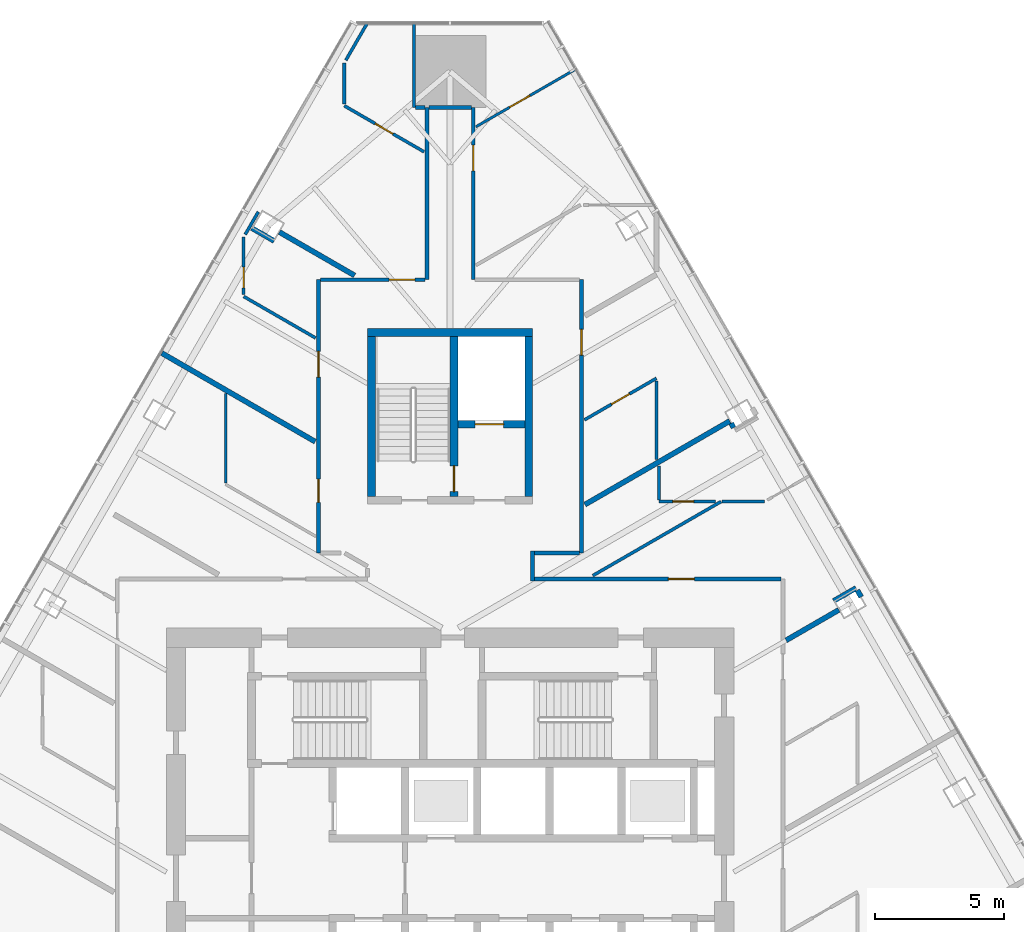
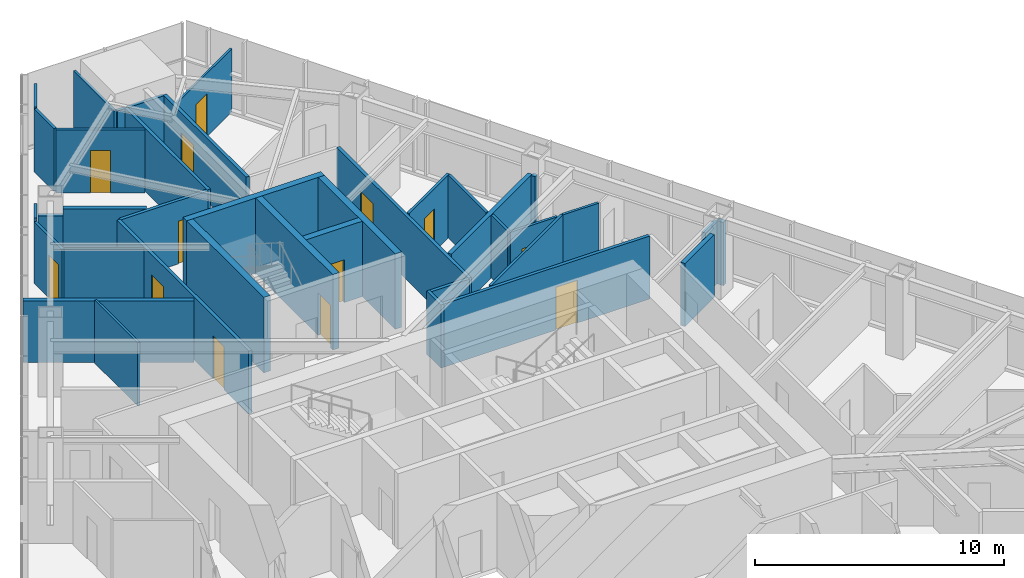
# One storey, part 17 of 20: 38 walls, 13 doors, 13 openings.
"""IFC4 building model written with IfcOpenShell, lengths in metres."""

from ifc_helpers import new_model, si_unit, direction, frame, frame_2d, origin, place, context, subcontext, project, spatial, rectangle, extrude, material, layer, layer_set, type_object, element, fill, save


model = new_model("IFC4")

# Units and contexts
model_context = context("Model", 3, precision=1e-05, world=origin(), true_north=direction((0.0, 1.0)))
body_context = subcontext(model_context, "Body", "Model", "MODEL_VIEW")
ifc_project = project(units=[si_unit("LENGTHUNIT", "METRE"), si_unit("AREAUNIT", "SQUARE_METRE"), si_unit("VOLUMEUNIT", "CUBIC_METRE"), si_unit("PLANEANGLEUNIT", "RADIAN"), si_unit("MASSUNIT", "GRAM", prefix="KILO")], contexts=[model_context])

# Site, building, storey
site_placement = place(None, origin())
site = spatial("IfcSite", under=ifc_project, at=site_placement, CompositionType="ELEMENT")
building_placement = place(site_placement, origin())
building = spatial("IfcBuilding", under=site, at=building_placement, Name="Firuza Gate Tower and Library", CompositionType="ELEMENT")
storey_placement = place(building_placement, frame((0.0, 0.0, 214.300048828125)))
storey = spatial("IfcBuildingStorey", under=building, at=storey_placement, Name="L50", CompositionType="ELEMENT", Elevation=214.300048828125)

# Walls
ifc_material_1 = material(Name="Concrete C80/95", Category="concrete")
ifc_layer_1 = layer(ifc_material_1, 0.300048828125)
ifc_layer_set_1 = layer_set([ifc_layer_1], Name="Core wall 300 C80/95")
wall_type_1 = type_object("IfcWallType", Name="Core wall 300 C80/95", PredefinedType="SHEAR", material=ifc_layer_set_1)
wall_1_placement = place(storey_placement, frame((71.800048828125, 94.449951171875, 0.0), z_axis=(0.0, 0.0, 1.0), x_axis=(1.0, 0.0, 0.0)))
element("IfcWall", 1, at=wall_1_placement, inside=storey, type_object=wall_type_1, Name="Core wall L50 28", PredefinedType="SHEAR", context=body_context, shape_type="SweptSolid", body=[
    extrude(rectangle(XDim=6.39990234375, YDim=0.300048828125, at=frame_2d((3.199951171875, 0.0))), origin(), (0.0, 0.0, 1.0), 3.699951171875),
])
for number, where, z_axis, x_axis, name in (
    (2, (71.949951171875, 88.10009765625, 0.0), (0.0, 0.0, 1.0), (0.0, 1.0, 0.0), "Core wall L50 29"),
    (3, (78.050048828125, 88.10009765625, 0.0), (0.0, 0.0, 1.0), (0.0, 1.0, 0.0), "Core wall L50 30"),
):
    element("IfcWall", number, at=place(storey_placement, frame(where, z_axis=z_axis, x_axis=x_axis)), inside=storey, type_object=wall_type_1, Name=name, PredefinedType="SHEAR", context=body_context, shape_type="SweptSolid", body=[
        extrude(rectangle(XDim=6.199951171875, YDim=0.300048828125, at=frame_2d((3.10009765625, 0.0))), origin(), (0.0, 0.0, 1.0), 3.699951171875),
    ])

# Wall, opening, door
wall_2_placement = place(storey_placement, frame((75.300048828125, 90.89990234375, 0.0), z_axis=(0.0, 0.0, 1.0), x_axis=(1.0, 0.0, 0.0)))
wall_2 = element("IfcWall", 4, at=wall_2_placement, inside=storey, type_object=wall_type_1, Name="Core wall L50 31", PredefinedType="SHEAR", context=body_context, shape_type="SweptSolid", body=[
    extrude(rectangle(XDim=2.599853515625, YDim=0.300048828125, at=frame_2d((1.2998046875, 0.0))), origin(), (0.0, 0.0, 1.0), 3.699951171875),
])
opening_1_placement = place(wall_2_placement, frame((0.675048828125, 0.0, 0.0)))
opening_1 = element("IfcOpeningElement", 5, at=opening_1_placement, cuts=wall_2, Name="Opening LD-SV1-L50", PredefinedType="OPENING", context=body_context, shape_type="SweptSolid", body=[
    extrude(rectangle(XDim=1.10009765625, YDim=2.10009765625, at=frame_2d((0.550048828125, 1.050048828125))), frame((0.0, 0.16015625, 0.0), z_axis=(0.0, -1.0, 0.0), x_axis=(1.0, 0.0, 0.0)), (0.0, 0.0, 1.0), 0.320068359375),
])
ifc_material_2 = material(Name="Stainless steel", Category="steel")
door_type_1 = type_object("IfcDoorType", Name="Lift landing door 1100x2100", OperationType="DOUBLE_DOOR_SLIDING", PredefinedType="DOOR", material=ifc_material_2)
door_1_placement = place(opening_1_placement, origin())
door_1 = element("IfcDoor", 6, at=door_1_placement, inside=storey, type_object=door_type_1, Name="Landing door SV1 L50", OperationType="DOUBLE_DOOR_SLIDING", OverallHeight=2.10009765625, OverallWidth=1.10009765625, PredefinedType="DOOR", context=body_context, shape_type="SweptSolid", body=[
    extrude(rectangle(XDim=1.10009765625, YDim=2.10009765625, at=frame_2d((0.550048828125, 1.050048828125))), frame((0.0, 0.02490234375, 0.0), z_axis=(0.0, -1.0, 0.0), x_axis=(1.0, 0.0, 0.0)), (0.0, 0.0, 1.0), 0.050048828125),
])
fill(opening_1, door_1)

wall_3_placement = place(storey_placement, frame((75.14990234375, 88.10009765625, 0.0), z_axis=(0.0, 0.0, 1.0), x_axis=(0.0, 1.0, 0.0)))
wall_3 = element("IfcWall", 7, at=wall_3_placement, inside=storey, type_object=wall_type_1, Name="Core wall L50 32", PredefinedType="SHEAR", context=body_context, shape_type="SweptSolid", body=[
    extrude(rectangle(XDim=6.199951171875, YDim=0.300048828125, at=frame_2d((3.10009765625, 0.0))), origin(), (0.0, 0.0, 1.0), 3.699951171875),
])
opening_2_placement = place(wall_3_placement, frame((0.18505859375, 0.0, 0.0)))
opening_2 = element("IfcOpeningElement", 8, at=opening_2_placement, cuts=wall_3, Name="Opening L50-K16", PredefinedType="OPENING", context=body_context, shape_type="SweptSolid", body=[
    extrude(rectangle(XDim=1.0, YDim=2.10009765625, at=frame_2d((0.5, 1.050048828125))), frame((0.0, 0.16015625, 0.0), z_axis=(0.0, -1.0, 0.0), x_axis=(1.0, 0.0, 0.0)), (0.0, 0.0, 1.0), 0.320068359375),
])
ifc_material_3 = material(Name="Steel", Category="steel")
door_type_2 = type_object("IfcDoorType", Name="Fire door 1000x2100 FD90", OperationType="NOTDEFINED", PredefinedType="DOOR", material=ifc_material_3)
door_2_placement = place(opening_2_placement, origin())
door_2 = element("IfcDoor", 9, at=door_2_placement, inside=storey, type_object=door_type_2, Name="Door L50-K16", OperationType="SINGLE_SWING_LEFT", OverallHeight=2.10009765625, OverallWidth=1.0, PredefinedType="DOOR", context=body_context, shape_type="SweptSolid", body=[
    extrude(rectangle(XDim=1.0, YDim=2.10009765625, at=frame_2d((0.5, 1.050048828125))), frame((0.0, 0.02490234375, 0.0), z_axis=(0.0, -1.0, 0.0), x_axis=(1.0, 0.0, 0.0)), (0.0, 0.0, 1.0), 0.050048828125),
])
fill(opening_2, door_2)

ifc_material_4 = material(Name="Gypsum board partition")
ifc_layer_2 = layer(ifc_material_4, 0.14990234375)
ifc_layer_set_2 = layer_set([ifc_layer_2], Name="Corridor wall 150 double board on steel studs")
wall_type_2 = type_object("IfcWallType", Name="Corridor wall 150 double board on steel studs", PredefinedType="PARTITIONING", material=ifc_layer_set_2)
wall_4_placement = place(storey_placement, frame((78.27490234375, 84.89990234375, 0.0), z_axis=(0.0, 0.0, 1.0), x_axis=(1.0, 0.0, 0.0)))
wall_4 = element("IfcWall", 10, at=wall_4_placement, inside=storey, type_object=wall_type_2, Name="f:L50:w010", PredefinedType="PARTITIONING", context=body_context, shape_type="SweptSolid", body=[
    extrude(rectangle(XDim=9.550048828125, YDim=0.14990234375, at=frame_2d((4.77490234375, 0.0))), origin(), (0.0, 0.0, 1.0), 3.096923828125),
])
opening_3_placement = place(wall_4_placement, frame((5.190673828125, 0.0, 0.0)))
opening_3 = element("IfcOpeningElement", 11, at=opening_3_placement, cuts=wall_4, Name="Opening L50-12", PredefinedType="OPENING", context=body_context, shape_type="SweptSolid", body=[
    extrude(rectangle(XDim=1.0, YDim=2.10009765625, at=frame_2d((0.5, 1.050048828125))), frame((0.0, 0.0849609375, 0.0), z_axis=(0.0, -1.0, 0.0), x_axis=(1.0, 0.0, 0.0)), (0.0, 0.0, 1.0), 0.169921875),
])
ifc_material_5 = material(Name="Steel door and timber leaf", Category="steel")
door_type_3 = type_object("IfcDoorType", Name="Fire door 1000 x 2100 steel frame, timber leaf", OperationType="NOTDEFINED", PredefinedType="DOOR", material=ifc_material_5)
door_3_placement = place(opening_3_placement, origin())
door_3 = element("IfcDoor", 12, at=door_3_placement, inside=storey, type_object=door_type_3, Name="f:L50:d012", OperationType="SINGLE_SWING_RIGHT", OverallHeight=2.10009765625, OverallWidth=1.0, PredefinedType="DOOR", context=body_context, shape_type="SweptSolid", body=[
    extrude(rectangle(XDim=1.0, YDim=2.10009765625, at=frame_2d((0.5, 1.050048828125))), frame((0.0, 0.02490234375, 0.0), z_axis=(0.0, -1.0, 0.0), x_axis=(1.0, 0.0, 0.0)), (0.0, 0.0, 1.0), 0.050048828125),
])
fill(opening_3, door_3)

# Wall
wall_5_placement = place(storey_placement, frame((78.27490234375, 85.89990234375, 0.0), z_axis=(0.0, 0.0, 1.0), x_axis=(1.0, 0.0, 0.0)))
element("IfcWall", 13, at=wall_5_placement, inside=storey, type_object=wall_type_2, Name="f:L50:w012", PredefinedType="PARTITIONING", context=body_context, shape_type="SweptSolid", body=[
    extrude(rectangle(XDim=1.75, YDim=0.14990234375, at=frame_2d((0.875, 0.0))), origin(), (0.0, 0.0, 1.0), 3.096923828125),
])

# Wall, opening, door
wall_6_placement = place(storey_placement, frame((69.97509765625, 96.5, 0.0), z_axis=(0.0, 0.0, 1.0), x_axis=(1.0, 0.0, 0.0)))
wall_6 = element("IfcWall", 14, at=wall_6_placement, inside=storey, type_object=wall_type_2, Name="f:L50:w014", PredefinedType="PARTITIONING", context=body_context, shape_type="SweptSolid", body=[
    extrude(rectangle(XDim=4.0498046875, YDim=0.14990234375, at=frame_2d((2.02490234375, 0.0))), origin(), (0.0, 0.0, 1.0), 3.099853515625),
])
opening_4_placement = place(wall_6_placement, frame((2.662841796875, 0.0, 0.0)))
opening_4 = element("IfcOpeningElement", 15, at=opening_4_placement, cuts=wall_6, Name="Opening L50-14", PredefinedType="OPENING", context=body_context, shape_type="SweptSolid", body=[
    extrude(rectangle(XDim=1.0, YDim=2.10009765625, at=frame_2d((0.5, 1.050048828125))), frame((0.0, 0.0849609375, 0.0), z_axis=(0.0, -1.0, 0.0), x_axis=(1.0, 0.0, 0.0)), (0.0, 0.0, 1.0), 0.169921875),
])
door_4_placement = place(opening_4_placement, origin())
door_4 = element("IfcDoor", 16, at=door_4_placement, inside=storey, type_object=door_type_3, Name="f:L50:d014", OperationType="SINGLE_SWING_RIGHT", OverallHeight=2.10009765625, OverallWidth=1.0, PredefinedType="DOOR", context=body_context, shape_type="SweptSolid", body=[
    extrude(rectangle(XDim=1.0, YDim=2.10009765625, at=frame_2d((0.5, 1.050048828125))), frame((0.0, 0.02490234375, 0.0), z_axis=(0.0, -1.0, 0.0), x_axis=(1.0, 0.0, 0.0)), (0.0, 0.0, 1.0), 0.050048828125),
])
fill(opening_4, door_4)

# Wall
wall_7_placement = place(storey_placement, frame((73.660400390625, 103.169921875, 0.0), z_axis=(0.0, 0.0, 1.0), x_axis=(1.0, 0.0, 0.0)))
element("IfcWall", 17, at=wall_7_placement, inside=storey, type_object=wall_type_2, Name="f:L50:w017", PredefinedType="PARTITIONING", context=body_context, shape_type="SweptSolid", body=[
    extrude(rectangle(XDim=0.364501953125, YDim=0.14990234375, at=frame_2d((0.18212890625, 0.0))), origin(), (0.0, 0.0, 1.0), 3.099853515625),
])

# Wall, opening, door
wall_8_placement = place(storey_placement, frame((80.10009765625, 96.49951171875, 0.0), z_axis=(0.0, 0.0, 1.0), x_axis=(0.0, -1.0, 0.0)))
wall_8 = element("IfcWall", 18, at=wall_8_placement, inside=storey, type_object=wall_type_2, Name="f:L50:w063", PredefinedType="PARTITIONING", context=body_context, shape_type="SweptSolid", body=[
    extrude(rectangle(XDim=10.599609375, YDim=0.14990234375, at=frame_2d((5.2998046875, 0.0))), origin(), (0.0, 0.0, 1.0), 3.096923828125),
])
opening_5_placement = place(wall_8_placement, frame((1.920166015625, 0.0, 0.0)))
opening_5 = element("IfcOpeningElement", 19, at=opening_5_placement, cuts=wall_8, Name="Opening L50-32", PredefinedType="OPENING", context=body_context, shape_type="SweptSolid", body=[
    extrude(rectangle(XDim=1.0, YDim=2.10009765625, at=frame_2d((0.5, 1.050048828125))), frame((0.0, 0.0849609375, 0.0), z_axis=(0.0, -1.0, 0.0), x_axis=(1.0, 0.0, 0.0)), (0.0, 0.0, 1.0), 0.169921875),
])
door_5_placement = place(opening_5_placement, origin())
door_5 = element("IfcDoor", 20, at=door_5_placement, inside=storey, type_object=door_type_3, Name="f:L50:d032", OperationType="SINGLE_SWING_RIGHT", OverallHeight=2.10009765625, OverallWidth=1.0, PredefinedType="DOOR", context=body_context, shape_type="SweptSolid", body=[
    extrude(rectangle(XDim=1.0, YDim=2.10009765625, at=frame_2d((0.5, 1.050048828125))), frame((0.0, 0.02490234375, 0.0), z_axis=(0.0, -1.0, 0.0), x_axis=(1.0, 0.0, 0.0)), (0.0, 0.0, 1.0), 0.050048828125),
])
fill(opening_5, door_5)

# Wall
wall_9_placement = place(storey_placement, frame((78.199951171875, 84.824951171875, 0.0), z_axis=(0.0, 0.0, 1.0), x_axis=(0.0, 1.0, 0.0)))
element("IfcWall", 21, at=wall_9_placement, inside=storey, type_object=wall_type_2, Name="f:L50:w065", PredefinedType="PARTITIONING", context=body_context, shape_type="SweptSolid", body=[
    extrude(rectangle(XDim=1.150146484375, YDim=0.14990234375, at=frame_2d((0.5751953125, 0.0))), origin(), (0.0, 0.0, 1.0), 3.099853515625),
])

# Wall, opening, door
wall_10_placement = place(storey_placement, frame((75.89990234375, 103.169189453125, 0.0), z_axis=(0.0, 0.0, 1.0), x_axis=(0.0, -1.0, 0.0)))
wall_10 = element("IfcWall", 22, at=wall_10_placement, inside=storey, type_object=wall_type_2, Name="f:L50:w067", PredefinedType="PARTITIONING", context=body_context, shape_type="SweptSolid", body=[
    extrude(rectangle(XDim=6.669189453125, YDim=0.14990234375, at=frame_2d((3.33447265625, 0.0))), origin(), (0.0, 0.0, 1.0), 3.099853515625),
])
opening_6_placement = place(wall_10_placement, frame((1.452392578125, 0.0, 0.0)))
opening_6 = element("IfcOpeningElement", 23, at=opening_6_placement, cuts=wall_10, Name="Opening L50-33", PredefinedType="OPENING", context=body_context, shape_type="SweptSolid", body=[
    extrude(rectangle(XDim=1.0, YDim=2.10009765625, at=frame_2d((0.5, 1.050048828125))), frame((0.0, 0.0849609375, 0.0), z_axis=(0.0, -1.0, 0.0), x_axis=(1.0, 0.0, 0.0)), (0.0, 0.0, 1.0), 0.169921875),
])
door_6_placement = place(opening_6_placement, origin())
door_6 = element("IfcDoor", 24, at=door_6_placement, inside=storey, type_object=door_type_3, Name="f:L50:d033", OperationType="SINGLE_SWING_RIGHT", OverallHeight=2.10009765625, OverallWidth=1.0, PredefinedType="DOOR", context=body_context, shape_type="SweptSolid", body=[
    extrude(rectangle(XDim=1.0, YDim=2.10009765625, at=frame_2d((0.5, 1.050048828125))), frame((0.0, 0.02490234375, 0.0), z_axis=(0.0, -1.0, 0.0), x_axis=(1.0, 0.0, 0.0)), (0.0, 0.0, 1.0), 0.050048828125),
])
fill(opening_6, door_6)

# Wall
wall_11_placement = place(storey_placement, frame((74.10009765625, 96.5, 0.0), z_axis=(0.0, 0.0, 1.0), x_axis=(0.0, 1.0, 0.0)))
element("IfcWall", 25, at=wall_11_placement, inside=storey, type_object=wall_type_2, Name="f:L50:w070", PredefinedType="PARTITIONING", context=body_context, shape_type="SweptSolid", body=[
    extrude(rectangle(XDim=6.669677734375, YDim=0.14990234375, at=frame_2d((3.3349609375, 0.0))), origin(), (0.0, 0.0, 1.0), 3.099853515625),
])

# Wall, openings, doors
wall_12_placement = place(storey_placement, frame((69.89990234375, 85.900390625, 0.0), z_axis=(0.0, 0.0, 1.0), x_axis=(0.0, 1.0, 0.0)))
wall_12 = element("IfcWall", 26, at=wall_12_placement, inside=storey, type_object=wall_type_2, Name="f:L50:w075", PredefinedType="PARTITIONING", context=body_context, shape_type="SweptSolid", body=[
    extrude(rectangle(XDim=10.599609375, YDim=0.14990234375, at=frame_2d((5.2998046875, 0.0))), origin(), (0.0, 0.0, 1.0), 3.096923828125),
])
opening_7_placement = place(wall_12_placement, frame((1.96826171875, 0.0, 0.0)))
opening_7 = element("IfcOpeningElement", 27, at=opening_7_placement, cuts=wall_12, Name="Opening L50-34", PredefinedType="OPENING", context=body_context, shape_type="SweptSolid", body=[
    extrude(rectangle(XDim=0.89990234375, YDim=2.10009765625, at=frame_2d((0.449951171875, 1.050048828125))), frame((0.0, 0.0849609375, 0.0), z_axis=(0.0, -1.0, 0.0), x_axis=(1.0, 0.0, 0.0)), (0.0, 0.0, 1.0), 0.169921875),
])
opening_8_placement = place(wall_12_placement, frame((6.82470703125, 0.0, 0.0)))
opening_8 = element("IfcOpeningElement", 28, at=opening_8_placement, cuts=wall_12, Name="Opening L50-35", PredefinedType="OPENING", context=body_context, shape_type="SweptSolid", body=[
    extrude(rectangle(XDim=1.0, YDim=2.10009765625, at=frame_2d((0.5, 1.050048828125))), frame((0.0, 0.0849609375, 0.0), z_axis=(0.0, -1.0, 0.0), x_axis=(1.0, 0.0, 0.0)), (0.0, 0.0, 1.0), 0.169921875),
])
door_7_placement = place(opening_8_placement, origin())
door_7 = element("IfcDoor", 29, at=door_7_placement, inside=storey, type_object=door_type_3, Name="f:L50:d035", OperationType="SINGLE_SWING_RIGHT", OverallHeight=2.10009765625, OverallWidth=1.0, PredefinedType="DOOR", context=body_context, shape_type="SweptSolid", body=[
    extrude(rectangle(XDim=1.0, YDim=2.10009765625, at=frame_2d((0.5, 1.050048828125))), frame((0.0, 0.02490234375, 0.0), z_axis=(0.0, -1.0, 0.0), x_axis=(1.0, 0.0, 0.0)), (0.0, 0.0, 1.0), 0.050048828125),
])
fill(opening_8, door_7)
ifc_material_6 = material(Name="Steel door and timber leaf", Category="steel")
door_type_4 = type_object("IfcDoorType", Name="Fire door 900 x 2100 steel frame, timber leaf", OperationType="NOTDEFINED", PredefinedType="DOOR", material=ifc_material_6)
door_8_placement = place(opening_7_placement, origin())
door_8 = element("IfcDoor", 30, at=door_8_placement, inside=storey, type_object=door_type_4, Name="f:L50:d034", OperationType="SINGLE_SWING_RIGHT", OverallHeight=2.10009765625, OverallWidth=0.89990234375, PredefinedType="DOOR", context=body_context, shape_type="SweptSolid", body=[
    extrude(rectangle(XDim=0.89990234375, YDim=2.10009765625, at=frame_2d((0.449951171875, 1.050048828125))), frame((0.0, 0.02490234375, 0.0), z_axis=(0.0, -1.0, 0.0), x_axis=(1.0, 0.0, 0.0)), (0.0, 0.0, 1.0), 0.050048828125),
])
fill(opening_7, door_8)

# Walls
wall_13_placement = place(storey_placement, frame((74.175048828125, 103.169921875, 0.0), z_axis=(0.0, 0.0, 1.0), x_axis=(1.0, 0.0, 0.0)))
element("IfcWall", 31, at=wall_13_placement, inside=storey, type_object=wall_type_2, Name="f:L50:w120", PredefinedType="PARTITIONING", context=body_context, shape_type="SweptSolid", body=[
    extrude(rectangle(XDim=1.6494140625, YDim=0.14990234375, at=frame_2d((0.82470703125, 0.0))), origin(), (0.0, 0.0, 1.0), 3.096923828125),
])
ifc_material_7 = material(Name="Gypsum board partition")
ifc_layer_3 = layer(ifc_material_7, 0.199951171875)
ifc_layer_set_3 = layer_set([ifc_layer_3], Name="Demising wall 200 acoustic double stud")
wall_type_3 = type_object("IfcWallType", Name="Demising wall 200 acoustic double stud", PredefinedType="PARTITIONING", material=ifc_layer_set_3)
wall_14_placement = place(storey_placement, frame((88.02685546875, 82.521240234375, 0.0), z_axis=(0.0, 0.0, 1.0), x_axis=(0.866032292145, 0.49998806882, 0.0)))
element("IfcWall", 32, at=wall_14_placement, inside=storey, type_object=wall_type_3, Name="f:L50:w030", PredefinedType="PARTITIONING", context=body_context, shape_type="SweptSolid", body=[
    extrude(rectangle(XDim=2.3603515625, YDim=0.199951171875, at=frame_2d((1.18017578125, 0.0))), origin(), (0.0, 0.0, 1.0), 3.099853515625),
])
wall_15_placement = place(storey_placement, frame((89.87109375, 84.0478515625, 0.0), z_axis=(0.0, 0.0, 1.0), x_axis=(0.866010750942, 0.50002537861, 0.0)))
element("IfcWall", 33, at=wall_15_placement, inside=storey, type_object=wall_type_3, Name="f:L50:w031", PredefinedType="PARTITIONING", context=body_context, shape_type="SweptSolid", body=[
    extrude(rectangle(XDim=1.0, YDim=0.199951171875, at=frame_2d((0.5, 0.0))), origin(), (0.0, 0.0, 1.0), 3.02197265625),
])
wall_16_placement = place(storey_placement, frame((80.226806640625, 87.781982421875, 0.0), z_axis=(0.0, 0.0, 1.0), x_axis=(0.866028841934, 0.499994044904, 0.0)))
element("IfcWall", 34, at=wall_16_placement, inside=storey, type_object=wall_type_3, Name="f:L50:w038", PredefinedType="PARTITIONING", context=body_context, shape_type="SweptSolid", body=[
    extrude(rectangle(XDim=6.484375, YDim=0.199951171875, at=frame_2d((3.2421875, 0.0))), origin(), (0.0, 0.0, 1.0), 3.099853515625),
])
wall_17_placement = place(storey_placement, frame((90.936767578125, 84.200927734375, 0.0), z_axis=(0.0, 0.0, 1.0), x_axis=(-0.500074377092, 0.865982457891, 0.0)))
element("IfcWall", 35, at=wall_17_placement, inside=storey, type_object=wall_type_3, Name="f:L50:w088", PredefinedType="PARTITIONING", context=body_context, shape_type="SweptSolid", body=[
    extrude(rectangle(XDim=0.30029296875, YDim=0.199951171875, at=frame_2d((0.150146484375, 0.0))), origin(), (0.0, 0.0, 1.0), 3.099853515625),
])
wall_18_placement = place(storey_placement, frame((85.99267578125, 90.764404296875, 0.0), z_axis=(0.0, 0.0, 1.0), x_axis=(-0.500359323436, 0.865817848887, 0.0)))
element("IfcWall", 36, at=wall_18_placement, inside=storey, type_object=wall_type_3, Name="f:L50:w091", PredefinedType="PARTITIONING", context=body_context, shape_type="SweptSolid", body=[
    extrude(rectangle(XDim=0.198974609375, YDim=0.199951171875, at=frame_2d((0.099609375, 0.0))), origin(), (0.0, 0.0, 1.0), 3.099853515625),
])
wall_19_placement = place(storey_placement, frame((71.297607421875, 96.664794921875, 0.0), z_axis=(0.0, 0.0, 1.0), x_axis=(-0.866023625329, 0.500003080363, 0.0)))
element("IfcWall", 37, at=wall_19_placement, inside=storey, type_object=wall_type_3, Name="f:L50:w095", PredefinedType="PARTITIONING", context=body_context, shape_type="SweptSolid", body=[
    extrude(rectangle(XDim=3.36376953125, YDim=0.199951171875, at=frame_2d((1.681884765625, 0.0))), origin(), (0.0, 0.0, 1.0), 3.099853515625),
])
wall_20_placement = place(storey_placement, frame((68.1845703125, 98.000244140625, 0.0), z_axis=(0.0, 0.0, 1.0), x_axis=(-0.866071776036, 0.499919672301, 0.0)))
element("IfcWall", 38, at=wall_20_placement, inside=storey, type_object=wall_type_3, Name="f:L50:w096", PredefinedType="PARTITIONING", context=body_context, shape_type="SweptSolid", body=[
    extrude(rectangle(XDim=1.000244140625, YDim=0.199951171875, at=frame_2d((0.5, 0.0))), origin(), (0.0, 0.0, 1.0), 3.02197265625),
])
wall_21_placement = place(storey_placement, frame((69.772705078125, 90.22216796875, 0.0), z_axis=(0.0, 0.0, 1.0), x_axis=(-0.866032781393, 0.499987221389, 0.0)))
element("IfcWall", 39, at=wall_21_placement, inside=storey, type_object=wall_type_3, Name="f:L50:w098", PredefinedType="PARTITIONING", context=body_context, shape_type="SweptSolid", body=[
    extrude(rectangle(XDim=6.864501953125, YDim=0.199951171875, at=frame_2d((3.43212890625, 0.0))), origin(), (0.0, 0.0, 1.0), 3.02197265625),
])

# Wall, opening, door
ifc_material_8 = material(Name="Gypsum board partition")
ifc_layer_4 = layer(ifc_material_8, 0.10009765625)
ifc_layer_set_4 = layer_set([ifc_layer_4], Name="Partition 100 gypsum board on steel studs")
wall_type_4 = type_object("IfcWallType", Name="Partition 100 gypsum board on steel studs", PredefinedType="PARTITIONING", material=ifc_layer_set_4)
wall_22_placement = place(storey_placement, frame((79.830078125, 104.63916015625, 0.0), z_axis=(0.0, 0.0, 1.0), x_axis=(-0.866005358171, -0.500034718414, 0.0)))
wall_22 = element("IfcWall", 40, at=wall_22_placement, inside=storey, type_object=wall_type_4, Name="f:L50:w042", PredefinedType="PARTITIONING", context=body_context, shape_type="SweptSolid", body=[
    extrude(rectangle(XDim=4.421630859375, YDim=0.10009765625, at=frame_2d((2.2109375, 0.0))), origin(), (0.0, 0.0, 1.0), 3.099853515625),
])
opening_9_placement = place(wall_22_placement, frame((2.0107421875, 0.0, 0.0)))
opening_9 = element("IfcOpeningElement", 41, at=opening_9_placement, cuts=wall_22, Name="Opening L50-29", PredefinedType="OPENING", context=body_context, shape_type="SweptSolid", body=[
    extrude(rectangle(XDim=0.89990234375, YDim=2.10009765625, at=frame_2d((0.449951171875, 1.050048828125))), frame((0.0, 0.06005859375, 0.0), z_axis=(0.0, -1.0, 0.0), x_axis=(1.0, 0.0, 0.0)), (0.0, 0.0, 1.0), 0.1201171875),
])
ifc_material_9 = material(Name="Timber door", Category="wood")
door_type_5 = type_object("IfcDoorType", Name="Door 900 x 2100 timber leaf", OperationType="NOTDEFINED", PredefinedType="DOOR", material=ifc_material_9)
door_9_placement = place(opening_9_placement, origin())
door_9 = element("IfcDoor", 42, at=door_9_placement, inside=storey, type_object=door_type_5, Name="f:L50:d029", OperationType="SINGLE_SWING_RIGHT", OverallHeight=2.10009765625, OverallWidth=0.89990234375, PredefinedType="DOOR", context=body_context, shape_type="SweptSolid", body=[
    extrude(rectangle(XDim=0.89990234375, YDim=2.10009765625, at=frame_2d((0.449951171875, 1.050048828125))), frame((0.0, 0.02490234375, 0.0), z_axis=(0.0, -1.0, 0.0), x_axis=(1.0, 0.0, 0.0)), (0.0, 0.0, 1.0), 0.050048828125),
])
fill(opening_9, door_9)

# Wall
wall_23_placement = place(storey_placement, frame((66.300048828125, 88.624267578125, 0.0), z_axis=(0.0, 0.0, 1.0), x_axis=(0.0, 1.0, 0.0)))
element("IfcWall", 43, at=wall_23_placement, inside=storey, type_object=wall_type_4, Name="f:L50:w078", PredefinedType="PARTITIONING", context=body_context, shape_type="SweptSolid", body=[
    extrude(rectangle(XDim=3.45751953125, YDim=0.10009765625, at=frame_2d((1.728759765625, 0.0))), origin(), (0.0, 0.0, 1.0), 3.099853515625),
])

# Wall, opening, door
ifc_material_10 = material(Name="Gypsum board partition")
ifc_layer_5 = layer(ifc_material_10, 0.1201171875)
ifc_layer_set_5 = layer_set([ifc_layer_5], Name="Wet-area partition 120 moisture-resistant board")
wall_type_5 = type_object("IfcWallType", Name="Wet-area partition 120 moisture-resistant board", PredefinedType="PARTITIONING", material=ifc_layer_set_5)
wall_24_placement = place(storey_placement, frame((85.28125, 87.89990234375, 0.0), z_axis=(0.0, 0.0, 1.0), x_axis=(-1.0, 0.0, 0.0)))
wall_24 = element("IfcWall", 44, at=wall_24_placement, inside=storey, type_object=wall_type_5, Name="f:L50:w013", PredefinedType="PARTITIONING", context=body_context, shape_type="SweptSolid", body=[
    extrude(rectangle(XDim=2.18115234375, YDim=0.1201171875, at=frame_2d((1.090576171875, 0.0))), origin(), (0.0, 0.0, 1.0), 3.096923828125),
])
opening_10_placement = place(wall_24_placement, frame((0.840576171875, 0.0, 0.0)))
opening_10 = element("IfcOpeningElement", 45, at=opening_10_placement, cuts=wall_24, Name="Opening L50-13", PredefinedType="OPENING", context=body_context, shape_type="SweptSolid", body=[
    extrude(rectangle(XDim=0.800048828125, YDim=2.10009765625, at=frame_2d((0.39990234375, 1.050048828125))), frame((0.0, 0.070068359375, 0.0), z_axis=(0.0, -1.0, 0.0), x_axis=(1.0, 0.0, 0.0)), (0.0, 0.0, 1.0), 0.14013671875),
])
ifc_material_11 = material(Name="Timber door", Category="wood")
door_type_6 = type_object("IfcDoorType", Name="Door 800 x 2100 timber leaf", OperationType="NOTDEFINED", PredefinedType="DOOR", material=ifc_material_11)
door_10_placement = place(opening_10_placement, origin())
door_10 = element("IfcDoor", 46, at=door_10_placement, inside=storey, type_object=door_type_6, Name="f:L50:d013", OperationType="SINGLE_SWING_LEFT", OverallHeight=2.10009765625, OverallWidth=0.800048828125, PredefinedType="DOOR", context=body_context, shape_type="SweptSolid", body=[
    extrude(rectangle(XDim=0.800048828125, YDim=2.10009765625, at=frame_2d((0.39990234375, 1.050048828125))), frame((0.0, 0.02490234375, 0.0), z_axis=(0.0, -1.0, 0.0), x_axis=(1.0, 0.0, 0.0)), (0.0, 0.0, 1.0), 0.050048828125),
])
fill(opening_10, door_10)

# Wall
wall_25_placement = place(storey_placement, frame((80.534423828125, 85.030029296875, 0.0), z_axis=(0.0, 0.0, 1.0), x_axis=(0.866014884179, 0.500018220049, 0.0)))
element("IfcWall", 47, at=wall_25_placement, inside=storey, type_object=wall_type_5, Name="f:L50:w036", PredefinedType="PARTITIONING", context=body_context, shape_type="SweptSolid", body=[
    extrude(rectangle(XDim=5.739990234375, YDim=0.1201171875, at=frame_2d((2.8701171875, 0.0))), origin(), (0.0, 0.0, 1.0), 3.099853515625),
])

# Wall, opening, door
wall_26_placement = place(storey_placement, frame((83.000244140625, 92.677490234375, 0.0), z_axis=(0.0, 0.0, 1.0), x_axis=(-0.866029130051, -0.499993545862, 0.0)))
wall_26 = element("IfcWall", 48, at=wall_26_placement, inside=storey, type_object=wall_type_5, Name="f:L50:w039", PredefinedType="PARTITIONING", context=body_context, shape_type="SweptSolid", body=[
    extrude(rectangle(XDim=3.22216796875, YDim=0.1201171875, at=frame_2d((1.611083984375, 0.0))), origin(), (0.0, 0.0, 1.0), 3.099853515625),
])
opening_11_placement = place(wall_26_placement, frame((1.2109375, 0.0, 0.0)))
opening_11 = element("IfcOpeningElement", 49, at=opening_11_placement, cuts=wall_26, Name="Opening L50-28", PredefinedType="OPENING", context=body_context, shape_type="SweptSolid", body=[
    extrude(rectangle(XDim=0.800048828125, YDim=2.10009765625, at=frame_2d((0.39990234375, 1.050048828125))), frame((0.0, 0.070068359375, 0.0), z_axis=(0.0, -1.0, 0.0), x_axis=(1.0, 0.0, 0.0)), (0.0, 0.0, 1.0), 0.14013671875),
])
door_11_placement = place(opening_11_placement, origin())
door_11 = element("IfcDoor", 50, at=door_11_placement, inside=storey, type_object=door_type_6, Name="f:L50:d028", OperationType="SINGLE_SWING_LEFT", OverallHeight=2.10009765625, OverallWidth=0.800048828125, PredefinedType="DOOR", context=body_context, shape_type="SweptSolid", body=[
    extrude(rectangle(XDim=0.800048828125, YDim=2.10009765625, at=frame_2d((0.39990234375, 1.050048828125))), frame((0.0, 0.02490234375, 0.0), z_axis=(0.0, -1.0, 0.0), x_axis=(1.0, 0.0, 0.0)), (0.0, 0.0, 1.0), 0.050048828125),
])
fill(opening_11, door_11)

# Walls
wall_27_placement = place(storey_placement, frame((67.059814453125, 98.2529296875, 0.0), z_axis=(0.0, 0.0, 1.0), x_axis=(0.499972622635, 0.866041209536, 0.0)))
element("IfcWall", 51, at=wall_27_placement, inside=storey, type_object=wall_type_5, Name="f:L50:w047", PredefinedType="PARTITIONING", context=body_context, shape_type="SweptSolid", body=[
    extrude(rectangle(XDim=1.013671875, YDim=0.1201171875, at=frame_2d((0.5068359375, 0.0))), origin(), (0.0, 0.0, 1.0), 3.099853515625),
])
wall_28_placement = place(storey_placement, frame((70.959716796875, 105.0078125, 0.0), z_axis=(0.0, 0.0, 1.0), x_axis=(0.500057100911, 0.865992434048, 0.0)))
element("IfcWall", 52, at=wall_28_placement, inside=storey, type_object=wall_type_5, Name="f:L50:w048", PredefinedType="PARTITIONING", context=body_context, shape_type="SweptSolid", body=[
    extrude(rectangle(XDim=1.641845703125, YDim=0.1201171875, at=frame_2d((0.82080078125, 0.0))), origin(), (0.0, 0.0, 1.0), 3.099853515625),
])
wall_29_placement = place(storey_placement, frame((83.10009765625, 87.9599609375, 0.0), z_axis=(0.0, 0.0, 1.0), x_axis=(0.0, 1.0, 0.0)))
element("IfcWall", 53, at=wall_29_placement, inside=storey, type_object=wall_type_5, Name="f:L50:w059", PredefinedType="PARTITIONING", context=body_context, shape_type="SweptSolid", body=[
    extrude(rectangle(XDim=1.324951171875, YDim=0.1201171875, at=frame_2d((0.66259765625, 0.0))), origin(), (0.0, 0.0, 1.0), 3.099853515625),
])
wall_30_placement = place(storey_placement, frame((83.0, 89.5380859375, 0.0), z_axis=(0.0, 0.0, 1.0), x_axis=(0.0, 1.0, 0.0)))
element("IfcWall", 54, at=wall_30_placement, inside=storey, type_object=wall_type_5, Name="f:L50:w060", PredefinedType="PARTITIONING", context=body_context, shape_type="SweptSolid", body=[
    extrude(rectangle(XDim=3.030517578125, YDim=0.1201171875, at=frame_2d((1.51513671875, 0.0))), origin(), (0.0, 0.0, 1.0), 3.099853515625),
])
wall_31_placement = place(storey_placement, frame((73.60009765625, 103.170166015625, 0.0), z_axis=(0.0, 0.0, 1.0), x_axis=(0.0, 1.0, 0.0)))
element("IfcWall", 55, at=wall_31_placement, inside=storey, type_object=wall_type_5, Name="f:L50:w071", PredefinedType="PARTITIONING", context=body_context, shape_type="SweptSolid", body=[
    extrude(rectangle(XDim=3.259521484375, YDim=0.1201171875, at=frame_2d((1.6298828125, 0.0))), origin(), (0.0, 0.0, 1.0), 3.099853515625),
])
wall_32_placement = place(storey_placement, frame((70.89990234375, 103.312255859375, 0.0), z_axis=(0.0, 0.0, 1.0), x_axis=(0.0, 1.0, 0.0)))
element("IfcWall", 56, at=wall_32_placement, inside=storey, type_object=wall_type_5, Name="f:L50:w074", PredefinedType="PARTITIONING", context=body_context, shape_type="SweptSolid", body=[
    extrude(rectangle(XDim=1.591552734375, YDim=0.1201171875, at=frame_2d((0.7958984375, 0.0))), origin(), (0.0, 0.0, 1.0), 3.099853515625),
])

# Wall, opening, door
wall_33_placement = place(storey_placement, frame((67.0, 98.148681640625, 0.0), z_axis=(0.0, 0.0, 1.0), x_axis=(0.0, -1.0, 0.0)))
wall_33 = element("IfcWall", 57, at=wall_33_placement, inside=storey, type_object=wall_type_5, Name="f:L50:w077", PredefinedType="PARTITIONING", context=body_context, shape_type="SweptSolid", body=[
    extrude(rectangle(XDim=2.228271484375, YDim=0.1201171875, at=frame_2d((1.1142578125, 0.0))), origin(), (0.0, 0.0, 1.0), 3.02197265625),
])
opening_12_placement = place(wall_33_placement, frame((1.164306640625, 0.0, 0.0)))
opening_12 = element("IfcOpeningElement", 58, at=opening_12_placement, cuts=wall_33, Name="Opening L50-36", PredefinedType="OPENING", context=body_context, shape_type="SweptSolid", body=[
    extrude(rectangle(XDim=0.800048828125, YDim=2.10009765625, at=frame_2d((0.39990234375, 1.050048828125))), frame((0.0, 0.070068359375, 0.0), z_axis=(0.0, -1.0, 0.0), x_axis=(1.0, 0.0, 0.0)), (0.0, 0.0, 1.0), 0.14013671875),
])
door_12_placement = place(opening_12_placement, origin())
door_12 = element("IfcDoor", 59, at=door_12_placement, inside=storey, type_object=door_type_6, Name="f:L50:d036", OperationType="SINGLE_SWING_RIGHT", OverallHeight=2.10009765625, OverallWidth=0.800048828125, PredefinedType="DOOR", context=body_context, shape_type="SweptSolid", body=[
    extrude(rectangle(XDim=0.800048828125, YDim=2.10009765625, at=frame_2d((0.39990234375, 1.050048828125))), frame((0.0, 0.02490234375, 0.0), z_axis=(0.0, -1.0, 0.0), x_axis=(1.0, 0.0, 0.0)), (0.0, 0.0, 1.0), 0.050048828125),
])
fill(opening_12, door_12)

wall_34_placement = place(storey_placement, frame((70.900146484375, 103.242919921875, 0.0), z_axis=(0.0, 0.0, 1.0), x_axis=(0.866028357664, -0.499994883695, 0.0)))
wall_34 = element("IfcWall", 60, at=wall_34_placement, inside=storey, type_object=wall_type_5, Name="f:L50:w094", PredefinedType="PARTITIONING", context=body_context, shape_type="SweptSolid", body=[
    extrude(rectangle(XDim=3.568359375, YDim=0.1201171875, at=frame_2d((1.7841796875, 0.0))), origin(), (0.0, 0.0, 1.0), 3.099853515625),
])
opening_13_placement = place(wall_34_placement, frame((1.38427734375, 0.0, 0.0)))
opening_13 = element("IfcOpeningElement", 61, at=opening_13_placement, cuts=wall_34, Name="Opening L50-41", PredefinedType="OPENING", context=body_context, shape_type="SweptSolid", body=[
    extrude(rectangle(XDim=0.800048828125, YDim=2.10009765625, at=frame_2d((0.39990234375, 1.050048828125))), frame((0.0, 0.070068359375, 0.0), z_axis=(0.0, -1.0, 0.0), x_axis=(1.0, 0.0, 0.0)), (0.0, 0.0, 1.0), 0.14013671875),
])
door_13_placement = place(opening_13_placement, origin())
door_13 = element("IfcDoor", 62, at=door_13_placement, inside=storey, type_object=door_type_6, Name="f:L50:d041", OperationType="SINGLE_SWING_RIGHT", OverallHeight=2.10009765625, OverallWidth=0.800048828125, PredefinedType="DOOR", context=body_context, shape_type="SweptSolid", body=[
    extrude(rectangle(XDim=0.800048828125, YDim=2.10009765625, at=frame_2d((0.39990234375, 1.050048828125))), frame((0.0, 0.02490234375, 0.0), z_axis=(0.0, -1.0, 0.0), x_axis=(1.0, 0.0, 0.0)), (0.0, 0.0, 1.0), 0.050048828125),
])
fill(opening_13, door_13)

# Walls
wall_35_placement = place(storey_placement, frame((69.7900390625, 94.23974609375, 0.0), z_axis=(0.0, 0.0, 1.0), x_axis=(-0.86604299788, 0.499969524894, 0.0)))
element("IfcWall", 63, at=wall_35_placement, inside=storey, type_object=wall_type_5, Name="f:L50:w097", PredefinedType="PARTITIONING", context=body_context, shape_type="SweptSolid", body=[
    extrude(rectangle(XDim=3.221923828125, YDim=0.1201171875, at=frame_2d((1.61083984375, 0.0))), origin(), (0.0, 0.0, 1.0), 3.099853515625),
])
wall_36_placement = place(storey_placement, frame((85.535400390625, 87.89990234375, 0.0), z_axis=(0.0, 0.0, 1.0), x_axis=(1.0, 0.0, 0.0)))
element("IfcWall", 64, at=wall_36_placement, inside=storey, type_object=wall_type_5, Name="f:L50:w119", PredefinedType="PARTITIONING", context=body_context, shape_type="SweptSolid", body=[
    extrude(rectangle(XDim=1.661376953125, YDim=0.1201171875, at=frame_2d((0.83056640625, 0.0))), origin(), (0.0, 0.0, 1.0), 3.099853515625),
])

save(model, "model.ifc")
